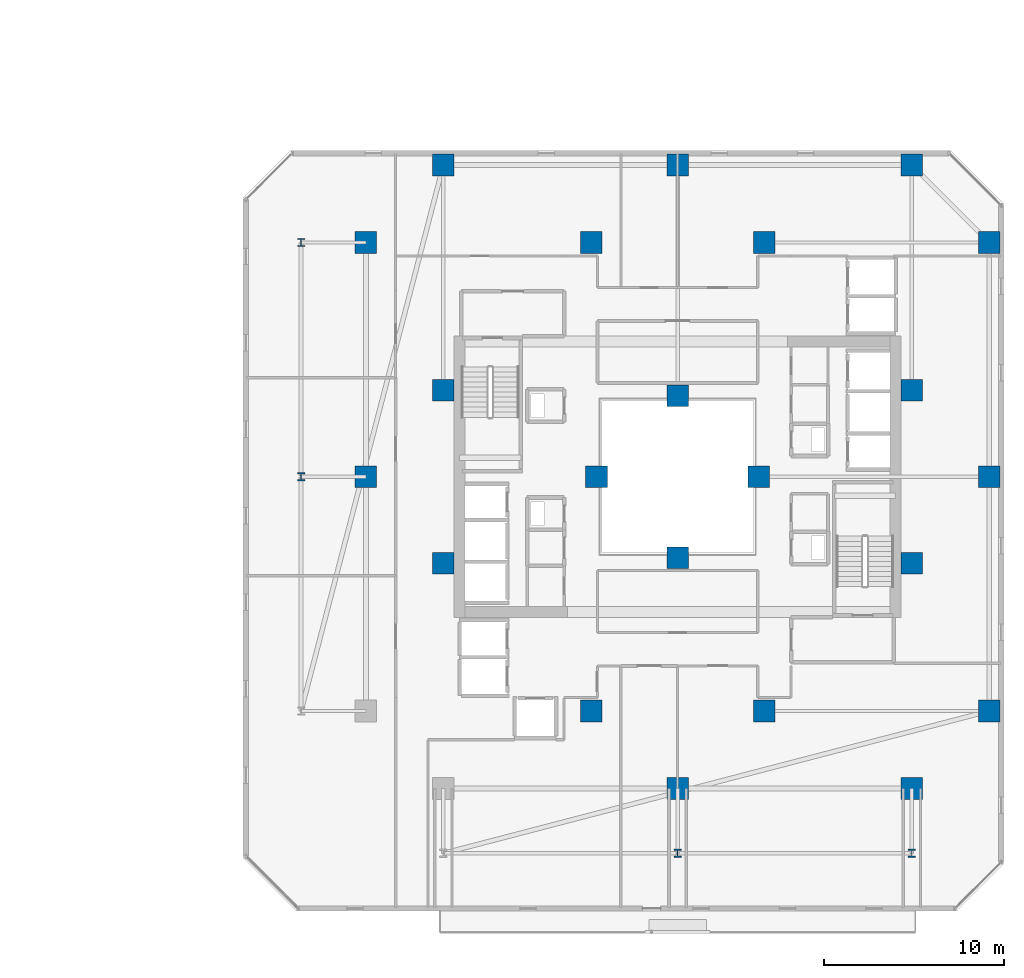
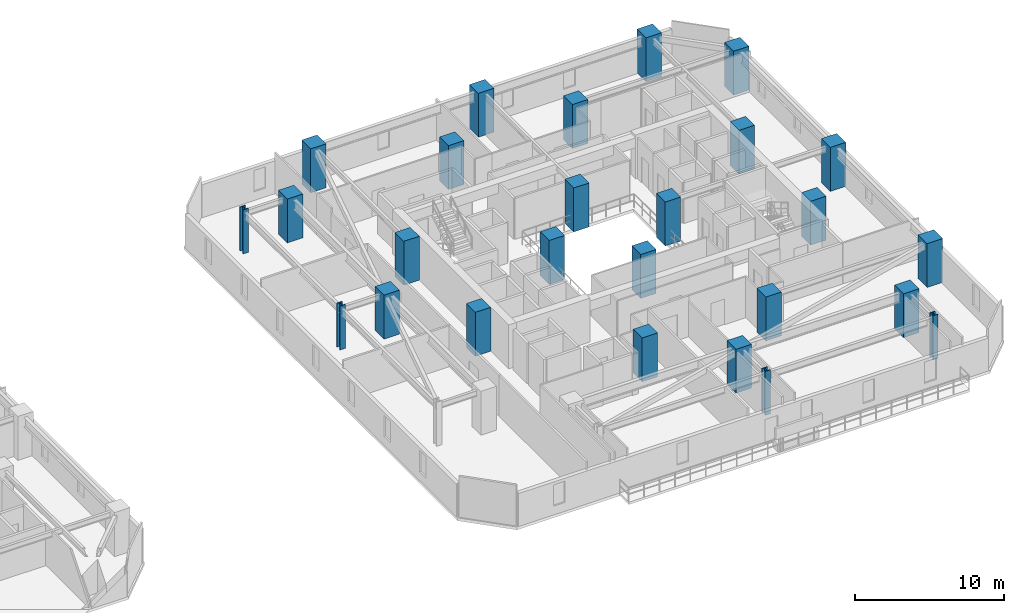
# One storey, part 2 of 33: 26 columns.
"""IFC4 building model written with IfcOpenShell, lengths in metres."""

import ifcopenshell
import ifcopenshell.guid

model = None  # the IFC model being written
_history = None  # IfcOwnerHistory: only IFC2X3 demands one
_inside = {}  # id of a spatial element -> (the spatial element, [elements in it])
_under = {}  # id of a project, library or spatial element -> (it, [spatial elements below it])
_declared = {}  # id of a project -> (the project, [libraries it declares])
_typed = {}  # id of a type object -> (the type object, [elements of that type])
_made_of = {}  # id of a material, layer set ... -> (it, [elements and type objects made of it])


def new_model(schema):
    """Start an empty IFC model of exactly this schema.

    Asked for "IFC4X3", IfcOpenShell would pick the latest addendum, in which some entities
    have other attributes; the version numbers below select the first issue.
    IFC2X3 requires an IfcOwnerHistory on every rooted entity: one is made here for all.
    """
    global model, _history
    if schema == "IFC4X3":
        model = ifcopenshell.file(schema_version=(4, 3, 0, 0))
    else:
        model = ifcopenshell.file(schema=schema)
    _inside.clear()
    _under.clear()
    _declared.clear()
    _typed.clear()
    _made_of.clear()
    _history = None
    if model.schema == "IFC2X3":
        org = make("IfcOrganization", Name="unknown")
        user = make(
            "IfcPersonAndOrganization",
            ThePerson=make("IfcPerson", FamilyName="unknown"),
            TheOrganization=org,
        )
        app = make(
            "IfcApplication",
            ApplicationDeveloper=org,
            Version="unknown",
            ApplicationFullName="unknown",
            ApplicationIdentifier="unknown",
        )
        _history = make(
            "IfcOwnerHistory",
            OwningUser=user,
            OwningApplication=app,
            ChangeAction="ADDED",
            CreationDate=0,
        )
    return model


def make(cls, **values):
    """One entity of the class cls with the attributes given. An attribute that is None is left unset."""
    return model.create_entity(
        cls, **{name: value for name, value in values.items() if value is not None}
    )


def rooted(cls, **values):
    """An entity with a GlobalId (a new one), such as an element, a storey or a relation."""
    return make(cls, GlobalId=ifcopenshell.guid.new(), OwnerHistory=_history, **values)


def si_unit(unit_type, name, prefix=None):
    """IfcSIUnit, for example si_unit("LENGTHUNIT", "METRE", prefix="MILLI")."""
    return make("IfcSIUnit", UnitType=unit_type, Prefix=prefix, Name=name)


def assignment(units):
    """IfcUnitAssignment: the units of a project."""
    return None if units is None else make("IfcUnitAssignment", Units=units)


def point(xyz):
    """IfcCartesianPoint."""
    return None if xyz is None else make("IfcCartesianPoint", Coordinates=xyz)


def direction(xyz):
    """IfcDirection."""
    return None if xyz is None else make("IfcDirection", DirectionRatios=xyz)


def frame(location, z_axis=None, x_axis=None):
    """IfcAxis2Placement3D, a coordinate frame: its origin and axes. An axis left out is left unset."""
    return make(
        "IfcAxis2Placement3D",
        Location=point(location),
        Axis=direction(z_axis),
        RefDirection=direction(x_axis),
    )


def frame_2d(location, x_axis=None):
    """IfcAxis2Placement2D, a coordinate frame in the plane: its origin and x axis."""
    return make(
        "IfcAxis2Placement2D", Location=point(location), RefDirection=direction(x_axis)
    )


def origin():
    """The frame at (0, 0, 0) with its axes left unset."""
    return frame((0.0, 0.0, 0.0))


def origin_2d():
    """The frame at (0, 0) in the plane with its x axis left unset."""
    return frame_2d((0.0, 0.0))


def place(relative_to, where):
    """IfcLocalPlacement: puts the frame where relative to a parent placement (None: the world)."""
    return make(
        "IfcLocalPlacement", PlacementRelTo=relative_to, RelativePlacement=where
    )


def context(
    kind, dimensions, precision=None, world=None, true_north=None, identifier=None
):
    """IfcGeometricRepresentationContext, for example the 3D "Model" context."""
    return make(
        "IfcGeometricRepresentationContext",
        ContextIdentifier=identifier,
        ContextType=kind,
        CoordinateSpaceDimension=dimensions,
        Precision=precision,
        WorldCoordinateSystem=world,
        TrueNorth=true_north,
    )


def subcontext(parent, identifier, kind, view, scale=None):
    """IfcGeometricRepresentationSubContext, for example "Body" below "Model"."""
    return make(
        "IfcGeometricRepresentationSubContext",
        ContextIdentifier=identifier,
        ContextType=kind,
        ParentContext=parent,
        TargetScale=scale,
        TargetView=view,
    )


def project(units=None, contexts=None):
    """IfcProject with its units and contexts."""
    return rooted(
        "IfcProject",
        Name="project",
        RepresentationContexts=contexts,
        UnitsInContext=assignment(units),
    )


def spatial(cls, under=None, at=None, **own):
    """A site, building, storey or space (cls), placed at a placement, below another one or the project."""
    s = rooted(cls, ObjectPlacement=at, **own)
    if under is not None:
        _under.setdefault(under.id(), (under, []))[1].append(s)
    return s


def profile(cls, at=None, kind="AREA", **sizes):
    """A parametric profile (cls). Its sizes go by their IFC names, for example OverallWidth=200.0."""
    return make(cls, ProfileType=kind, Position=at, **sizes)


def rectangle(**sizes):
    """IfcRectangleProfileDef."""
    return profile("IfcRectangleProfileDef", **sizes)


def i_section(**sizes):
    """IfcIShapeProfileDef."""
    return profile("IfcIShapeProfileDef", **sizes)


def extrude(swept, where, along, depth):
    """IfcExtrudedAreaSolid: the profile swept, set in the frame where, extruded along a direction by depth."""
    return make(
        "IfcExtrudedAreaSolid",
        SweptArea=swept,
        Position=where,
        ExtrudedDirection=direction(along),
        Depth=depth,
    )


def shape(context_of_items, identifier, shape_type, items):
    """IfcShapeRepresentation: the items that make up one representation, for example the "Body"."""
    return make(
        "IfcShapeRepresentation",
        ContextOfItems=context_of_items,
        RepresentationIdentifier=identifier,
        RepresentationType=shape_type,
        Items=items,
    )


def material(Name=None, Category=None):
    """IfcMaterial."""
    return make("IfcMaterial", Name=Name, Category=Category)


def material_profile(
    of_material, cross_section, Name=None, Category=None, Priority=None
):
    """IfcMaterialProfile: a cross section and its material."""
    return make(
        "IfcMaterialProfile",
        Name=Name,
        Material=of_material,
        Profile=cross_section,
        Priority=Priority,
        Category=Category,
    )


def profile_set(profiles, Name=None, composite=None):
    """IfcMaterialProfileSet."""
    return make(
        "IfcMaterialProfileSet",
        Name=Name,
        MaterialProfiles=profiles,
        CompositeProfile=composite,
    )


def made_of(thing, what):
    """Note that an element or type object is made of a material, layer set ...; save() writes the relation."""
    if what is not None:
        _made_of.setdefault(what.id(), (what, []))[1].append(thing)
    return thing


def type_object(cls, material=None, **own):
    """A type object (cls), such as IfcWallType, which elements share."""
    return made_of(rooted(cls, **own), material)


def element(
    cls,
    number,
    at=None,
    inside=None,
    cuts=None,
    type_object=None,
    material=None,
    context=None,
    identifier="Body",
    shape_type=None,
    held_by="IfcProductDefinitionShape",
    body=None,
    shapes=None,
    **own,
):
    """One element of the class cls, such as IfcWall. Its Tag is "e" and its number.

    at: its placement. inside: the storey or other place that contains it. cuts: it is an
    opening in that element (IfcRelVoidsElement). A single representation is given by context,
    identifier, shape_type and body (its items); several are given by shapes. held_by: the class
    of the entity that holds the representations. save() writes the other relations.
    """
    e = rooted(cls, Tag="e%d" % number, ObjectPlacement=at, **own)
    if body is not None:
        shapes = [shape(context, identifier, shape_type, body)]
    if shapes is not None:
        e.Representation = make(held_by, Representations=shapes)
    if inside is not None:
        _inside.setdefault(inside.id(), (inside, []))[1].append(e)
    if cuts is not None:
        rooted(
            "IfcRelVoidsElement", RelatingBuildingElement=cuts, RelatedOpeningElement=e
        )
    if type_object is not None:
        _typed.setdefault(type_object.id(), (type_object, []))[1].append(e)
    return made_of(e, material)


def aggregate(whole, parts):
    """IfcRelAggregates: a whole, such as a stair, and the parts it consists of."""
    return rooted("IfcRelAggregates", RelatingObject=whole, RelatedObjects=parts)


def save(model, path):
    """Write the relations noted so far, then the file.

    IfcRelAggregates (storeys below a building ...), IfcRelContainedInSpatialStructure (elements
    in a storey), IfcRelDefinesByType, IfcRelAssociatesMaterial and IfcRelDeclares: one each for
    every whole, place, type object, material and project.
    """
    for whole, parts in _under.values():
        aggregate(whole, parts)
    for where, things in _inside.values():
        rooted(
            "IfcRelContainedInSpatialStructure",
            RelatedElements=things,
            RelatingStructure=where,
        )
    for kind, things in _typed.values():
        rooted("IfcRelDefinesByType", RelatedObjects=things, RelatingType=kind)
    for what, things in _made_of.values():
        rooted("IfcRelAssociatesMaterial", RelatedObjects=things, RelatingMaterial=what)
    for by, libraries in _declared.values():
        rooted("IfcRelDeclares", RelatingContext=by, RelatedDefinitions=libraries)
    model.write(path)


model = new_model("IFC4")

# Units and contexts
model_context = context("Model", 3, precision=1e-05, world=origin(), true_north=direction((0.0, 1.0)))
body_context = subcontext(model_context, "Body", "Model", "MODEL_VIEW")
ifc_project = project(units=[si_unit("LENGTHUNIT", "METRE"), si_unit("AREAUNIT", "SQUARE_METRE"), si_unit("VOLUMEUNIT", "CUBIC_METRE"), si_unit("PLANEANGLEUNIT", "RADIAN"), si_unit("MASSUNIT", "GRAM", prefix="KILO")], contexts=[model_context])

# Site, building, storey
site_placement = place(None, origin())
site = spatial("IfcSite", under=ifc_project, at=site_placement, CompositionType="ELEMENT")
building_placement = place(site_placement, origin())
building = spatial("IfcBuilding", under=site, at=building_placement, Name="Thornwick Lancets Civic Towers", CompositionType="ELEMENT")
storey_placement = place(building_placement, frame((0.0, 0.0, 112.5)))
storey = spatial("IfcBuildingStorey", under=building, at=storey_placement, Name="L29", CompositionType="ELEMENT", Elevation=112.5)

# Columns
ifc_material_1 = material(Name="Concrete C60/75", Category="concrete")
ifc_material_profile_1 = material_profile(ifc_material_1, rectangle(XDim=1.199951171875, YDim=1.199951171875, at=origin_2d()), Name="RC 1200x1200")
ifc_profile_set_1 = profile_set([ifc_material_profile_1], Name="Concrete C60/75")
column_type_1 = type_object("IfcColumnType", Name="COL_RC_1200", PredefinedType="COLUMN", material=ifc_profile_set_1)
for number, where, z_axis, x_axis, name in (
    (1, (105.800048828125, 14.0, 0.0), (0.0, 0.0, 1.0), (1.0, 0.0, 0.0), "L29 Spine Mega-Column B01"),
    (2, (105.800048828125, 27.0, 0.0), (0.0, 0.0, 1.0), (1.0, 0.0, 0.0), "L29 Spine Mega-Column B02"),
    (3, (105.800048828125, 40.0, 0.0), (0.0, 0.0, 1.0), (1.0, 0.0, 0.0), "L29 Spine Mega-Column B03"),
    (4, (101.5, 44.300048828125, 0.0), (0.0, 0.0, 1.0), (1.0, 0.0, 0.0), "L29 Spine Mega-Column B04"),
    (5, (88.5, 44.300048828125, 0.0), (0.0, 0.0, 1.0), (1.0, 0.0, 0.0), "L29 Spine Mega-Column B05"),
    (6, (75.5, 44.300048828125, 0.0), (0.0, 0.0, 1.0), (1.0, 0.0, 0.0), "L29 Spine Mega-Column B06"),
    (7, (71.199951171875, 27.0, 0.0), (0.0, 0.0, 1.0), (1.0, 0.0, 0.0), "L29 Spine Mega-Column B08"),
    (8, (71.199951171875, 40.0, 0.0), (0.0, 0.0, 1.0), (1.0, 0.0, 0.0), "L29 Spine Mega-Column B09"),
    (9, (101.5, 9.699951171875, 0.0), (0.0, 0.0, 1.0), (1.0, 0.0, 0.0), "L29 Spine Mega-Column B10"),
    (10, (88.5, 9.699951171875, 0.0), (0.0, 0.0, 1.0), (1.0, 0.0, 0.0), "L29 Spine Mega-Column B11"),
    (11, (93.300048828125, 14.0, 0.0), (0.0, 0.0, 1.0), (1.0, 0.0, 0.0), "L29 Spine Mega-Column B13"),
    (12, (93.300048828125, 40.0, 0.0), (0.0, 0.0, 1.0), (1.0, 0.0, 0.0), "L29 Spine Mega-Column B14"),
    (13, (83.699951171875, 14.0, 0.0), (0.0, 0.0, 1.0), (1.0, 0.0, 0.0), "L29 Spine Mega-Column B15"),
    (14, (83.699951171875, 40.0, 0.0), (0.0, 0.0, 1.0), (1.0, 0.0, 0.0), "L29 Spine Mega-Column B16"),
    (15, (101.5, 22.199951171875, 0.0), (0.0, 0.0, 1.0), (1.0, 0.0, 0.0), "L29 Spine Mega-Column B17"),
    (16, (101.5, 31.800048828125, 0.0), (0.0, 0.0, 1.0), (1.0, 0.0, 0.0), "L29 Spine Mega-Column B18"),
    (17, (75.5, 22.199951171875, 0.0), (0.0, 0.0, 1.0), (1.0, 0.0, 0.0), "L29 Spine Mega-Column B19"),
    (18, (75.5, 31.800048828125, 0.0), (0.0, 0.0, 1.0), (1.0, 0.0, 0.0), "L29 Spine Mega-Column B20"),
    (19, (93.0, 27.0, 0.0), (0.0, 0.0, 1.0), (1.0, 0.0, 0.0), "L29 Spine Mega-Column B21"),
    (20, (84.0, 27.0, 0.0), (0.0, 0.0, 1.0), (1.0, 0.0, 0.0), "L29 Spine Mega-Column B22"),
    (21, (88.5, 22.5, 0.0), (0.0, 0.0, 1.0), (1.0, 0.0, 0.0), "L29 Spine Mega-Column B23"),
    (22, (88.5, 31.5, 0.0), (0.0, 0.0, 1.0), (1.0, 0.0, 0.0), "L29 Spine Mega-Column B24"),
):
    element("IfcColumn", number, at=place(storey_placement, frame(where, z_axis=z_axis, x_axis=x_axis)), inside=storey, type_object=column_type_1, Name=name, PredefinedType="COLUMN", context=body_context, shape_type="SweptSolid", body=[
        extrude(rectangle(XDim=1.199951171875, YDim=1.199951171875, at=origin_2d()), origin(), (0.0, 0.0, 1.0), 3.60009765625),
    ])
ifc_material_2 = material(Name="Steel S460M", Category="steel")
ifc_material_profile_2 = material_profile(ifc_material_2, i_section(OverallWidth=0.41845703125, OverallDepth=0.45556640625, WebThickness=0.0419921875, FlangeThickness=0.0673828125, FilletRadius=0.01513671875, at=origin_2d()), Name="UKC 356x406x551")
ifc_profile_set_2 = profile_set([ifc_material_profile_2], Name="Steel S460M")
column_type_2 = type_object("IfcColumnType", Name="COL_UKC_551", PredefinedType="COLUMN", material=ifc_profile_set_2)
for number, where, z_axis, x_axis, name in (
    (23, (67.60009765625, 27.0, 0.0), (0.0, 0.0, 1.0), (1.0, 0.0, 0.0), "L29 Block Perimeter Column B08"),
    (24, (67.60009765625, 40.0, 0.0), (0.0, 0.0, 1.0), (1.0, 0.0, 0.0), "L29 Block Perimeter Column B09"),
    (25, (101.5, 6.10009765625, 0.0), (0.0, 0.0, 1.0), (1.0, 0.0, 0.0), "L29 Block Perimeter Column B10"),
    (26, (88.5, 6.10009765625, 0.0), (0.0, 0.0, 1.0), (1.0, 0.0, 0.0), "L29 Block Perimeter Column B11"),
):
    element("IfcColumn", number, at=place(storey_placement, frame(where, z_axis=z_axis, x_axis=x_axis)), inside=storey, type_object=column_type_2, Name=name, PredefinedType="COLUMN", context=body_context, shape_type="SweptSolid", body=[
        extrude(i_section(OverallWidth=0.41845703125, OverallDepth=0.45556640625, WebThickness=0.0419921875, FlangeThickness=0.0673828125, FilletRadius=0.01513671875, at=origin_2d()), origin(), (0.0, 0.0, 1.0), 3.60009765625),
    ])

save(model, "model.ifc")
